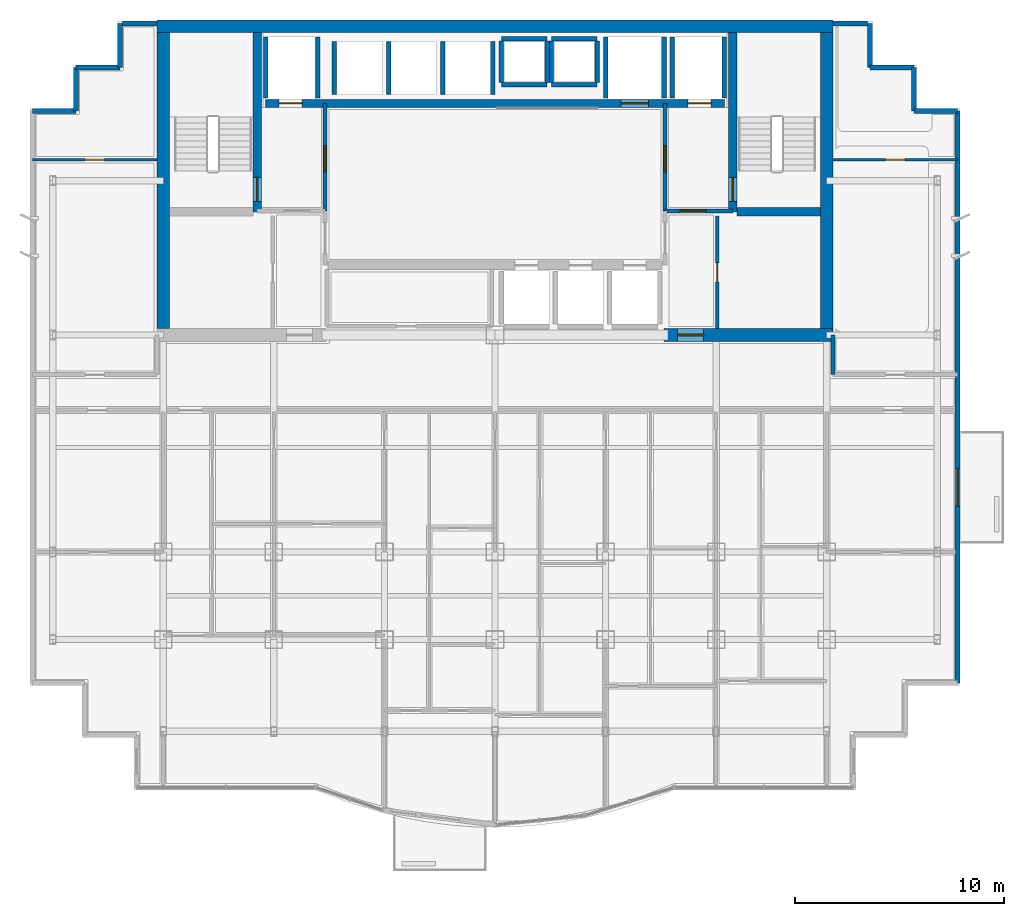
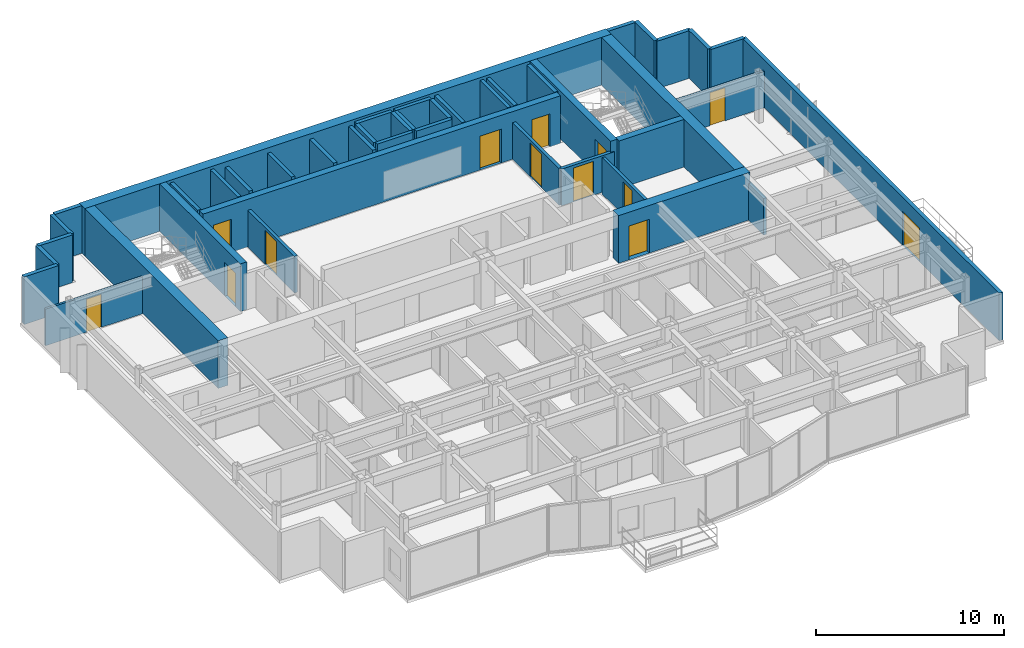
# One storey, part 8 of 11: 44 walls, 13 doors, 13 openings.
"""IFC4 building model written with IfcOpenShell, lengths in metres."""

from ifc_helpers import new_model, si_unit, direction, frame, frame_2d, origin, place, context, subcontext, project, spatial, rectangle, extrude, material, layer, layer_set, type_object, element, fill, save


model = new_model("IFC4")

# Units and contexts
model_context = context("Model", 3, precision=1e-05, world=origin(), true_north=direction((0.0, 1.0)))
body_context = subcontext(model_context, "Body", "Model", "MODEL_VIEW")
ifc_project = project(units=[si_unit("LENGTHUNIT", "METRE"), si_unit("AREAUNIT", "SQUARE_METRE"), si_unit("VOLUMEUNIT", "CUBIC_METRE"), si_unit("PLANEANGLEUNIT", "RADIAN"), si_unit("MASSUNIT", "GRAM", prefix="KILO")], contexts=[model_context])

# Site, building, storey
site_placement = place(None, origin())
site = spatial("IfcSite", under=ifc_project, at=site_placement, CompositionType="ELEMENT")
building_placement = place(site_placement, origin())
building = spatial("IfcBuilding", under=site, at=building_placement, Name="Qianlan Lanfeng Residences", CompositionType="ELEMENT")
storey_placement = place(building_placement, frame((0.0, 0.0, 168.89990234375)))
storey = spatial("IfcBuildingStorey", under=building, at=storey_placement, Name="L46", CompositionType="ELEMENT", Elevation=168.89990234375)

# Wall, opening, door
ifc_material_1 = material(Name="Concrete C56", Category="concrete")
ifc_layer_1 = layer(ifc_material_1, 0.39990234375)
ifc_layer_set_1 = layer_set([ifc_layer_1], Name="Concrete C56")
wall_type_1 = type_object("IfcWallType", Name="CW-RC-400", PredefinedType="SHEAR", material=ifc_layer_set_1)
wall_1_placement = place(storey_placement, frame((15.10009765625, 31.10009765625, 0.0), z_axis=(0.0, 0.0, 1.0), x_axis=(0.0, 1.0, 0.0)))
wall_1 = element("IfcWall", 1, at=wall_1_placement, inside=storey, type_object=wall_type_1, Name="L46 Core Shear Wall ST1E", PredefinedType="SHEAR", context=body_context, shape_type="SweptSolid", body=[
    extrude(rectangle(XDim=8.599853515625, YDim=0.39990234375, at=frame_2d((4.2998046875, 0.0))), origin(), (0.0, 0.0, 1.0), 3.10009765625),
])
opening_1_placement = place(wall_1_placement, frame((0.510009765625, 0.0, 0.0)))
opening_1 = element("IfcOpeningElement", 2, at=opening_1_placement, cuts=wall_1, Name="Opening L46-D07", PredefinedType="OPENING", context=body_context, shape_type="SweptSolid", body=[
    extrude(rectangle(XDim=1.14990234375, YDim=2.199951171875, at=frame_2d((0.574951171875, 1.10009765625))), frame((0.0, 0.2099609375, 0.0), z_axis=(0.0, -1.0, 0.0), x_axis=(1.0, 0.0, 0.0)), (0.0, 0.0, 1.0), 0.419921875),
])
ifc_material_2 = material(Name="Painted Galvanised Steel Fire Door", Category="steel")
door_type_1 = type_object("IfcDoorType", Name="DT-ST1", OperationType="NOTDEFINED", PredefinedType="DOOR", material=ifc_material_2)
door_1_placement = place(opening_1_placement, frame((1.14990234375, 0.0, 0.0), z_axis=(0.0, 0.0, 1.0), x_axis=(-1.0, 0.0, 0.0)))
door_1 = element("IfcDoor", 3, at=door_1_placement, inside=storey, type_object=door_type_1, Name="L46 Exit Stair ST-1 Door L46-D07 (DT-ST1)", OperationType="SINGLE_SWING_RIGHT", OverallHeight=2.199951171875, OverallWidth=1.14990234375, PredefinedType="DOOR", context=body_context, shape_type="SweptSolid", body=[
    extrude(rectangle(XDim=1.14990234375, YDim=2.199951171875, at=frame_2d((0.574951171875, 1.10009765625))), frame((0.0, 0.02490234375, 0.0), z_axis=(0.0, -1.0, 0.0), x_axis=(1.0, 0.0, 0.0)), (0.0, 0.0, 1.0), 0.050048828125),
])
fill(opening_1, door_1)

wall_2_placement = place(storey_placement, frame((37.89990234375, 31.10009765625, 0.0), z_axis=(0.0, 0.0, 1.0), x_axis=(0.0, 1.0, 0.0)))
wall_2 = element("IfcWall", 4, at=wall_2_placement, inside=storey, type_object=wall_type_1, Name="L46 Core Shear Wall ST2W", PredefinedType="SHEAR", context=body_context, shape_type="SweptSolid", body=[
    extrude(rectangle(XDim=8.599853515625, YDim=0.39990234375, at=frame_2d((4.2998046875, 0.0))), origin(), (0.0, 0.0, 1.0), 3.10009765625),
])
opening_2_placement = place(wall_2_placement, frame((0.510009765625, 0.0, 0.0)))
opening_2 = element("IfcOpeningElement", 5, at=opening_2_placement, cuts=wall_2, Name="Opening L46-D08", PredefinedType="OPENING", context=body_context, shape_type="SweptSolid", body=[
    extrude(rectangle(XDim=1.14990234375, YDim=2.199951171875, at=frame_2d((0.574951171875, 1.10009765625))), frame((0.0, 0.2099609375, 0.0), z_axis=(0.0, -1.0, 0.0), x_axis=(1.0, 0.0, 0.0)), (0.0, 0.0, 1.0), 0.419921875),
])
door_2_placement = place(opening_2_placement, origin())
door_2 = element("IfcDoor", 6, at=door_2_placement, inside=storey, type_object=door_type_1, Name="L46 Exit Stair ST-2 Door L46-D08 (DT-ST1)", OperationType="SINGLE_SWING_RIGHT", OverallHeight=2.199951171875, OverallWidth=1.14990234375, PredefinedType="DOOR", context=body_context, shape_type="SweptSolid", body=[
    extrude(rectangle(XDim=1.14990234375, YDim=2.199951171875, at=frame_2d((0.574951171875, 1.10009765625))), frame((0.0, 0.02490234375, 0.0), z_axis=(0.0, -1.0, 0.0), x_axis=(1.0, 0.0, 0.0)), (0.0, 0.0, 1.0), 0.050048828125),
])
fill(opening_2, door_2)

# Wall
wall_3_placement = place(storey_placement, frame((38.10009765625, 31.10009765625, 0.0), z_axis=(0.0, 0.0, 1.0), x_axis=(1.0, 0.0, 0.0)))
element("IfcWall", 7, at=wall_3_placement, inside=storey, type_object=wall_type_1, Name="L46 Core Shear Wall ST2S", PredefinedType="SHEAR", context=body_context, shape_type="SweptSolid", body=[
    extrude(rectangle(XDim=4.0, YDim=0.39990234375, at=frame_2d((2.0, 0.0))), origin(), (0.0, 0.0, 1.0), 3.10009765625),
])

# Wall, openings, doors
wall_4_placement = place(storey_placement, frame((15.5, 36.300048828125, 0.0), z_axis=(0.0, 0.0, 1.0), x_axis=(1.0, 0.0, 0.0)))
wall_4 = element("IfcWall", 8, at=wall_4_placement, inside=storey, type_object=wall_type_1, Name="L46 Core Shear Wall LBN", PredefinedType="SHEAR", context=body_context, shape_type="SweptSolid", body=[
    extrude(rectangle(XDim=22.0, YDim=0.39990234375, at=frame_2d((11.0, 0.0))), origin(), (0.0, 0.0, 1.0), 3.10009765625),
])
opening_3_placement = place(wall_4_placement, frame((0.64990234375, 0.0, 0.0)))
opening_3 = element("IfcOpeningElement", 9, at=opening_3_placement, cuts=wall_4, Name="Opening L46-LD-FFL-1", PredefinedType="OPENING", context=body_context, shape_type="SweptSolid", body=[
    extrude(rectangle(XDim=1.10009765625, YDim=2.14990234375, at=frame_2d((0.550048828125, 1.074951171875))), frame((0.0, 0.2099609375, 0.0), z_axis=(0.0, -1.0, 0.0), x_axis=(1.0, 0.0, 0.0)), (0.0, 0.0, 1.0), 0.419921875),
])
opening_4_placement = place(wall_4_placement, frame((20.25, 0.0, 0.0)))
opening_4 = element("IfcOpeningElement", 10, at=opening_4_placement, cuts=wall_4, Name="Opening L46-LD-FFL-2", PredefinedType="OPENING", context=body_context, shape_type="SweptSolid", body=[
    extrude(rectangle(XDim=1.10009765625, YDim=2.14990234375, at=frame_2d((0.550048828125, 1.074951171875))), frame((0.0, 0.2099609375, 0.0), z_axis=(0.0, -1.0, 0.0), x_axis=(1.0, 0.0, 0.0)), (0.0, 0.0, 1.0), 0.419921875),
])
opening_5_placement = place(wall_4_placement, frame((17.050048828125, 0.0, 0.0)))
opening_5 = element("IfcOpeningElement", 11, at=opening_5_placement, cuts=wall_4, Name="Opening L46-LD-SVL-1", PredefinedType="OPENING", context=body_context, shape_type="SweptSolid", body=[
    extrude(rectangle(XDim=1.300048828125, YDim=2.199951171875, at=frame_2d((0.64990234375, 1.10009765625))), frame((0.0, 0.2099609375, 0.0), z_axis=(0.0, -1.0, 0.0), x_axis=(1.0, 0.0, 0.0)), (0.0, 0.0, 1.0), 0.419921875),
])
ifc_material_3 = material(Name="Brushed Stainless Steel Sliding Lift Door", Category="steel")
door_type_2 = type_object("IfcDoorType", Name="LD-01", OperationType="NOTDEFINED", PredefinedType="DOOR", material=ifc_material_3)
door_3_placement = place(opening_3_placement, frame((1.10009765625, 0.0, 0.0), z_axis=(0.0, 0.0, 1.0), x_axis=(-1.0, 0.0, 0.0)))
door_3 = element("IfcDoor", 12, at=door_3_placement, inside=storey, type_object=door_type_2, Name="L46 Elevator FFL-1 Sliding Landing Door", OperationType="DOUBLE_DOOR_SLIDING", OverallHeight=2.14990234375, OverallWidth=1.10009765625, PredefinedType="DOOR", context=body_context, shape_type="SweptSolid", body=[
    extrude(rectangle(XDim=1.10009765625, YDim=2.14990234375, at=frame_2d((0.550048828125, 1.074951171875))), frame((0.0, 0.02490234375, 0.0), z_axis=(0.0, -1.0, 0.0), x_axis=(1.0, 0.0, 0.0)), (0.0, 0.0, 1.0), 0.050048828125),
])
fill(opening_3, door_3)
door_4_placement = place(opening_4_placement, frame((1.10009765625, 0.0, 0.0), z_axis=(0.0, 0.0, 1.0), x_axis=(-1.0, 0.0, 0.0)))
door_4 = element("IfcDoor", 13, at=door_4_placement, inside=storey, type_object=door_type_2, Name="L46 Elevator FFL-2 Sliding Landing Door", OperationType="DOUBLE_DOOR_SLIDING", OverallHeight=2.14990234375, OverallWidth=1.10009765625, PredefinedType="DOOR", context=body_context, shape_type="SweptSolid", body=[
    extrude(rectangle(XDim=1.10009765625, YDim=2.14990234375, at=frame_2d((0.550048828125, 1.074951171875))), frame((0.0, 0.02490234375, 0.0), z_axis=(0.0, -1.0, 0.0), x_axis=(1.0, 0.0, 0.0)), (0.0, 0.0, 1.0), 0.050048828125),
])
fill(opening_4, door_4)
door_type_3 = type_object("IfcDoorType", Name="LD-02", OperationType="NOTDEFINED", PredefinedType="DOOR", material=ifc_material_3)
door_5_placement = place(opening_5_placement, frame((1.300048828125, 0.0, 0.0), z_axis=(0.0, 0.0, 1.0), x_axis=(-1.0, 0.0, 0.0)))
door_5 = element("IfcDoor", 14, at=door_5_placement, inside=storey, type_object=door_type_3, Name="L46 Elevator SVL-1 Sliding Landing Door", OperationType="DOUBLE_DOOR_SLIDING", OverallHeight=2.199951171875, OverallWidth=1.300048828125, PredefinedType="DOOR", context=body_context, shape_type="SweptSolid", body=[
    extrude(rectangle(XDim=1.300048828125, YDim=2.199951171875, at=frame_2d((0.64990234375, 1.10009765625))), frame((0.0, 0.02490234375, 0.0), z_axis=(0.0, -1.0, 0.0), x_axis=(1.0, 0.0, 0.0)), (0.0, 0.0, 1.0), 0.050048828125),
])
fill(opening_5, door_5)

# Walls
ifc_layer_2 = layer(ifc_material_1, 0.60009765625)
ifc_layer_set_2 = layer_set([ifc_layer_2], Name="Concrete C56")
wall_type_2 = type_object("IfcWallType", Name="CW-RC-600", PredefinedType="SHEAR", material=ifc_layer_set_2)
wall_5_placement = place(storey_placement, frame((10.300048828125, 40.0, 0.0), z_axis=(0.0, 0.0, 1.0), x_axis=(1.0, 0.0, 0.0)))
element("IfcWall", 15, at=wall_5_placement, inside=storey, type_object=wall_type_2, Name="L46 Core Shear Wall N", PredefinedType="SHEAR", context=body_context, shape_type="SweptSolid", body=[
    extrude(rectangle(XDim=32.39990234375, YDim=0.60009765625, at=frame_2d((16.199951171875, 0.0))), origin(), (0.0, 0.0, 1.0), 3.10009765625),
])
for number, where, z_axis, x_axis, name in (
    (16, (10.60009765625, 25.5, 0.0), (0.0, 0.0, 1.0), (0.0, 1.0, 0.0), "L46 Core Shear Wall W"),
    (17, (42.39990234375, 25.5, 0.0), (0.0, 0.0, 1.0), (0.0, 1.0, 0.0), "L46 Core Shear Wall E"),
):
    element("IfcWall", number, at=place(storey_placement, frame(where, z_axis=z_axis, x_axis=x_axis)), inside=storey, type_object=wall_type_2, Name=name, PredefinedType="SHEAR", context=body_context, shape_type="SweptSolid", body=[
        extrude(rectangle(XDim=14.199951171875, YDim=0.60009765625, at=frame_2d((7.10009765625, 0.0))), origin(), (0.0, 0.0, 1.0), 3.10009765625),
    ])

# Wall, opening, door
wall_6_placement = place(storey_placement, frame((34.60009765625, 25.199951171875, 0.0), z_axis=(0.0, 0.0, 1.0), x_axis=(1.0, 0.0, 0.0)))
wall_6 = element("IfcWall", 18, at=wall_6_placement, inside=storey, type_object=wall_type_2, Name="L46 Core Shear Wall SE", PredefinedType="SHEAR", context=body_context, shape_type="SweptSolid", body=[
    extrude(rectangle(XDim=8.099853515625, YDim=0.60009765625, at=frame_2d((4.0498046875, 0.0))), origin(), (0.0, 0.0, 1.0), 3.10009765625),
])
opening_6_placement = place(wall_6_placement, frame((0.64990234375, 0.0, 0.0)))
opening_6 = element("IfcOpeningElement", 19, at=opening_6_placement, cuts=wall_6, Name="Opening L46-D02", PredefinedType="OPENING", context=body_context, shape_type="SweptSolid", body=[
    extrude(rectangle(XDim=1.25, YDim=2.199951171875, at=frame_2d((0.625, 1.10009765625))), frame((0.0, 0.31005859375, 0.0), z_axis=(0.0, -1.0, 0.0), x_axis=(1.0, 0.0, 0.0)), (0.0, 0.0, 1.0), 0.6201171875),
])
door_type_4 = type_object("IfcDoorType", Name="DT-FFL", OperationType="NOTDEFINED", PredefinedType="DOOR", material=ifc_material_2)
door_6_placement = place(opening_6_placement, frame((1.25, 0.0, 0.0), z_axis=(0.0, 0.0, 1.0), x_axis=(-1.0, 0.0, 0.0)))
door_6 = element("IfcDoor", 20, at=door_6_placement, inside=storey, type_object=door_type_4, Name="L46 East Core Lobby Smoke Door L46-D02 (DT-FFL)", OperationType="SINGLE_SWING_LEFT", OverallHeight=2.199951171875, OverallWidth=1.25, PredefinedType="DOOR", context=body_context, shape_type="SweptSolid", body=[
    extrude(rectangle(XDim=1.25, YDim=2.199951171875, at=frame_2d((0.625, 1.10009765625))), frame((0.0, 0.02490234375, 0.0), z_axis=(0.0, -1.0, 0.0), x_axis=(1.0, 0.0, 0.0)), (0.0, 0.0, 1.0), 0.050048828125),
])
fill(opening_6, door_6)

ifc_material_4 = material(Name="Concrete C42", Category="concrete")
ifc_layer_3 = layer(ifc_material_4, 0.239990234375)
ifc_layer_set_3 = layer_set([ifc_layer_3], Name="Concrete C42")
wall_type_3 = type_object("IfcWallType", Name="EW-240", PredefinedType="SOLIDWALL", material=ifc_layer_set_3)
wall_7_placement = place(storey_placement, frame((48.679931640625, 8.52001953125, 0.0), z_axis=(0.0, 0.0, 1.0), x_axis=(0.0, 1.0, 0.0)))
wall_7 = element("IfcWall", 21, at=wall_7_placement, inside=storey, type_object=wall_type_3, Name="L46 Terrace/Balcony Access Exterior Wall 10", PredefinedType="SOLIDWALL", context=body_context, shape_type="SweptSolid", body=[
    extrude(rectangle(XDim=27.409912109375, YDim=0.239990234375, at=frame_2d((13.705078125, 0.0))), origin(), (0.0, 0.0, 1.0), 3.10009765625),
])
opening_7_placement = place(wall_7_placement, frame((8.47998046875, 0.0, 0.0)))
opening_7 = element("IfcOpeningElement", 22, at=opening_7_placement, cuts=wall_7, Name="Opening L46-D-EB-S", PredefinedType="OPENING", context=body_context, shape_type="SweptSolid", body=[
    extrude(rectangle(XDim=1.800048828125, YDim=2.199951171875, at=frame_2d((0.89990234375, 1.10009765625))), frame((0.0, 0.1298828125, 0.0), z_axis=(0.0, -1.0, 0.0), x_axis=(1.0, 0.0, 0.0)), (0.0, 0.0, 1.0), 0.260009765625),
])
ifc_material_5 = material(Name="Anodised Bronze Aluminium Framed Glass", Category="aluminium")
door_type_5 = type_object("IfcDoorType", Name="DT-BAL1", OperationType="NOTDEFINED", PredefinedType="DOOR", material=ifc_material_5)
door_7_placement = place(opening_7_placement, frame((1.800048828125, 0.0, 0.0), z_axis=(0.0, 0.0, 1.0), x_axis=(-1.0, 0.0, 0.0)))
door_7 = element("IfcDoor", 23, at=door_7_placement, inside=storey, type_object=door_type_5, Name="L46 Exterior Access Door EB-S", OperationType="DOUBLE_DOOR_SLIDING", OverallHeight=2.199951171875, OverallWidth=1.800048828125, PredefinedType="DOOR", context=body_context, shape_type="SweptSolid", body=[
    extrude(rectangle(XDim=1.800048828125, YDim=2.199951171875, at=frame_2d((0.89990234375, 1.10009765625))), frame((0.0, 0.02490234375, 0.0), z_axis=(0.0, -1.0, 0.0), x_axis=(1.0, 0.0, 0.0)), (0.0, 0.0, 1.0), 0.050048828125),
])
fill(opening_7, door_7)

# Walls
wall_8_placement = place(storey_placement, frame((48.679931640625, 35.929931640625, 0.0), z_axis=(0.0, 0.0, 1.0), x_axis=(-1.0, 0.0, 0.0)))
element("IfcWall", 24, at=wall_8_placement, inside=storey, type_object=wall_type_3, Name="L46 Exterior Facade Spandrel Wall 11", PredefinedType="SOLIDWALL", context=body_context, shape_type="SweptSolid", body=[
    extrude(rectangle(XDim=2.099853515625, YDim=0.239990234375, at=frame_2d((1.0498046875, 0.0))), origin(), (0.0, 0.0, 1.0), 3.10009765625),
])
for number, where, z_axis, x_axis, name in (
    (25, (46.580078125, 35.929931640625, 0.0), (0.0, 0.0, 1.0), (0.0, 1.0, 0.0), "L46 Exterior Facade Spandrel Wall 12"),
    (26, (46.580078125, 38.030029296875, 0.0), (0.0, 0.0, 1.0), (-1.0, 0.0, 0.0), "L46 Exterior Facade Spandrel Wall 13"),
):
    element("IfcWall", number, at=place(storey_placement, frame(where, z_axis=z_axis, x_axis=x_axis)), inside=storey, type_object=wall_type_3, Name=name, PredefinedType="SOLIDWALL", context=body_context, shape_type="SweptSolid", body=[
        extrude(rectangle(XDim=2.10009765625, YDim=0.239990234375, at=frame_2d((1.050048828125, 0.0))), origin(), (0.0, 0.0, 1.0), 3.10009765625),
    ])
wall_9_placement = place(storey_placement, frame((44.47998046875, 38.030029296875, 0.0), z_axis=(0.0, 0.0, 1.0), x_axis=(0.0, 1.0, 0.0)))
element("IfcWall", 27, at=wall_9_placement, inside=storey, type_object=wall_type_3, Name="L46 Exterior Facade Spandrel Wall 14", PredefinedType="SOLIDWALL", context=body_context, shape_type="SweptSolid", body=[
    extrude(rectangle(XDim=2.099853515625, YDim=0.239990234375, at=frame_2d((1.0498046875, 0.0))), origin(), (0.0, 0.0, 1.0), 3.10009765625),
])
for number, where, z_axis, x_axis, name in (
    (28, (44.35009765625, 40.1298828125, 0.0), (0.0, 0.0, 1.0), (-1.0, 0.0, 0.0), "L46 North Wing Exterior Wall E"),
    (29, (10.300048828125, 40.1298828125, 0.0), (0.0, 0.0, 1.0), (-1.0, 0.0, 0.0), "L46 North Wing Exterior Wall W"),
):
    element("IfcWall", number, at=place(storey_placement, frame(where, z_axis=z_axis, x_axis=x_axis)), inside=storey, type_object=wall_type_3, Name=name, PredefinedType="SOLIDWALL", context=body_context, shape_type="SweptSolid", body=[
        extrude(rectangle(XDim=1.650146484375, YDim=0.239990234375, at=frame_2d((0.8251953125, 0.0))), origin(), (0.0, 0.0, 1.0), 3.10009765625),
    ])
wall_10_placement = place(storey_placement, frame((8.52001953125, 40.1298828125, 0.0), z_axis=(0.0, 0.0, 1.0), x_axis=(0.0, -1.0, 0.0)))
element("IfcWall", 30, at=wall_10_placement, inside=storey, type_object=wall_type_3, Name="L46 Exterior Facade Spandrel Wall 17", PredefinedType="SOLIDWALL", context=body_context, shape_type="SweptSolid", body=[
    extrude(rectangle(XDim=2.099853515625, YDim=0.239990234375, at=frame_2d((1.0498046875, 0.0))), origin(), (0.0, 0.0, 1.0), 3.10009765625),
])
for number, where, z_axis, x_axis, name in (
    (31, (8.52001953125, 38.030029296875, 0.0), (0.0, 0.0, 1.0), (-1.0, 0.0, 0.0), "L46 Exterior Facade Spandrel Wall 18"),
    (32, (6.419921875, 38.030029296875, 0.0), (0.0, 0.0, 1.0), (0.0, -1.0, 0.0), "L46 Exterior Facade Spandrel Wall 19"),
):
    element("IfcWall", number, at=place(storey_placement, frame(where, z_axis=z_axis, x_axis=x_axis)), inside=storey, type_object=wall_type_3, Name=name, PredefinedType="SOLIDWALL", context=body_context, shape_type="SweptSolid", body=[
        extrude(rectangle(XDim=2.10009765625, YDim=0.239990234375, at=frame_2d((1.050048828125, 0.0))), origin(), (0.0, 0.0, 1.0), 3.10009765625),
    ])
wall_11_placement = place(storey_placement, frame((6.419921875, 35.929931640625, 0.0), z_axis=(0.0, 0.0, 1.0), x_axis=(-1.0, 0.0, 0.0)))
element("IfcWall", 33, at=wall_11_placement, inside=storey, type_object=wall_type_3, Name="L46 Exterior Facade Spandrel Wall 20", PredefinedType="SOLIDWALL", context=body_context, shape_type="SweptSolid", body=[
    extrude(rectangle(XDim=2.099853515625, YDim=0.239990234375, at=frame_2d((1.0498046875, 0.0))), origin(), (0.0, 0.0, 1.0), 3.10009765625),
])

# Wall, opening, door
ifc_material_6 = material(Name="Moisture-Resistant Gypsum Partition 135 mm")
ifc_layer_4 = layer(ifc_material_6, 0.135009765625)
ifc_layer_set_4 = layer_set([ifc_layer_4], Name="Moisture-Resistant Gypsum Partition 135 mm")
wall_type_4 = type_object("IfcWallType", Name="PW-135", PredefinedType="PARTITIONING", material=ifc_layer_set_4)
wall_12_placement = place(storey_placement, frame((4.320068359375, 33.60009765625, 0.0), z_axis=(0.0, 0.0, 1.0), x_axis=(1.0, 0.0, 0.0)))
wall_12 = element("IfcWall", 34, at=wall_12_placement, inside=storey, type_object=wall_type_4, Name="L46 WW North Wing Wall", PredefinedType="PARTITIONING", context=body_context, shape_type="SweptSolid", body=[
    extrude(rectangle(XDim=5.97998046875, YDim=0.135009765625, at=frame_2d((2.989990234375, 0.0))), origin(), (0.0, 0.0, 1.0), 2.380126953125),
])
opening_8_placement = place(wall_12_placement, frame((2.530029296875, 0.0, 0.0)))
opening_8 = element("IfcOpeningElement", 35, at=opening_8_placement, cuts=wall_12, Name="Opening L46-D41", PredefinedType="OPENING", context=body_context, shape_type="SweptSolid", body=[
    extrude(rectangle(XDim=0.919921875, YDim=2.14990234375, at=frame_2d((0.4599609375, 1.074951171875))), frame((0.0, 0.07763671875, 0.0), z_axis=(0.0, -1.0, 0.0), x_axis=(1.0, 0.0, 0.0)), (0.0, 0.0, 1.0), 0.155029296875),
])
ifc_material_7 = material(Name="Glazed Timber Kitchen/Study Door", Category="wood")
door_type_6 = type_object("IfcDoorType", Name="DT-INT", OperationType="NOTDEFINED", PredefinedType="DOOR", material=ifc_material_7)
door_8_placement = place(opening_8_placement, origin())
door_8 = element("IfcDoor", 36, at=door_8_placement, inside=storey, type_object=door_type_6, Name="L46 WW Inner Salon Door L46-D41 (DT-INT)", OperationType="SINGLE_SWING_LEFT", OverallHeight=2.14990234375, OverallWidth=0.919921875, PredefinedType="DOOR", context=body_context, shape_type="SweptSolid", body=[
    extrude(rectangle(XDim=0.919921875, YDim=2.14990234375, at=frame_2d((0.4599609375, 1.074951171875))), frame((0.0, 0.02490234375, 0.0), z_axis=(0.0, -1.0, 0.0), x_axis=(1.0, 0.0, 0.0)), (0.0, 0.0, 1.0), 0.050048828125),
])
fill(opening_8, door_8)

wall_13_placement = place(storey_placement, frame((42.699951171875, 33.60009765625, 0.0), z_axis=(0.0, 0.0, 1.0), x_axis=(1.0, 0.0, 0.0)))
wall_13 = element("IfcWall", 37, at=wall_13_placement, inside=storey, type_object=wall_type_4, Name="L46 EW North Wing Wall", PredefinedType="PARTITIONING", context=body_context, shape_type="SweptSolid", body=[
    extrude(rectangle(XDim=5.97998046875, YDim=0.135009765625, at=frame_2d((2.989990234375, 0.0))), origin(), (0.0, 0.0, 1.0), 2.380126953125),
])
opening_9_placement = place(wall_13_placement, frame((2.530029296875, 0.0, 0.0)))
opening_9 = element("IfcOpeningElement", 38, at=opening_9_placement, cuts=wall_13, Name="Opening L46-D43", PredefinedType="OPENING", context=body_context, shape_type="SweptSolid", body=[
    extrude(rectangle(XDim=0.919921875, YDim=2.14990234375, at=frame_2d((0.4599609375, 1.074951171875))), frame((0.0, 0.07763671875, 0.0), z_axis=(0.0, -1.0, 0.0), x_axis=(1.0, 0.0, 0.0)), (0.0, 0.0, 1.0), 0.155029296875),
])
door_9_placement = place(opening_9_placement, origin())
door_9 = element("IfcDoor", 39, at=door_9_placement, inside=storey, type_object=door_type_6, Name="L46 EW Inner Salon Door L46-D43 (DT-INT)", OperationType="SINGLE_SWING_LEFT", OverallHeight=2.14990234375, OverallWidth=0.919921875, PredefinedType="DOOR", context=body_context, shape_type="SweptSolid", body=[
    extrude(rectangle(XDim=0.919921875, YDim=2.14990234375, at=frame_2d((0.4599609375, 1.074951171875))), frame((0.0, 0.02490234375, 0.0), z_axis=(0.0, -1.0, 0.0), x_axis=(1.0, 0.0, 0.0)), (0.0, 0.0, 1.0), 0.050048828125),
])
fill(opening_9, door_9)

ifc_material_8 = material(Name="Double-Layer Acoustic Gypsum Stud Wall 180 mm")
ifc_layer_5 = layer(ifc_material_8, 0.179931640625)
ifc_layer_set_5 = layer_set([ifc_layer_5], Name="Double-Layer Acoustic Gypsum Stud Wall 180 mm")
wall_type_5 = type_object("IfcWallType", Name="PW-180", PredefinedType="PARTITIONING", material=ifc_layer_set_5)
wall_14_placement = place(storey_placement, frame((37.14990234375, 25.5, 0.0), z_axis=(0.0, 0.0, 1.0), x_axis=(0.0, 1.0, 0.0)))
wall_14 = element("IfcWall", 40, at=wall_14_placement, inside=storey, type_object=wall_type_5, Name="L46 Core East Service Room Wall", PredefinedType="PARTITIONING", context=body_context, shape_type="SweptSolid", body=[
    extrude(rectangle(XDim=5.39990234375, YDim=0.179931640625, at=frame_2d((2.699951171875, 0.0))), origin(), (0.0, 0.0, 1.0), 2.380126953125),
])
opening_10_placement = place(wall_14_placement, frame((2.239990234375, 0.0, 0.0)))
opening_10 = element("IfcOpeningElement", 41, at=opening_10_placement, cuts=wall_14, Name="Opening L46-D10", PredefinedType="OPENING", context=body_context, shape_type="SweptSolid", body=[
    extrude(rectangle(XDim=0.919921875, YDim=2.14990234375, at=frame_2d((0.4599609375, 1.074951171875))), frame((0.0, 0.10009765625, 0.0), z_axis=(0.0, -1.0, 0.0), x_axis=(1.0, 0.0, 0.0)), (0.0, 0.0, 1.0), 0.199951171875),
])
door_10_placement = place(opening_10_placement, origin())
door_10 = element("IfcDoor", 42, at=door_10_placement, inside=storey, type_object=door_type_6, Name="L46 Refuse Recycling Door L46-D10 (DT-INT)", OperationType="SINGLE_SWING_RIGHT", OverallHeight=2.14990234375, OverallWidth=0.919921875, PredefinedType="DOOR", context=body_context, shape_type="SweptSolid", body=[
    extrude(rectangle(XDim=0.919921875, YDim=2.14990234375, at=frame_2d((0.4599609375, 1.074951171875))), frame((0.0, 0.02490234375, 0.0), z_axis=(0.0, -1.0, 0.0), x_axis=(1.0, 0.0, 0.0)), (0.0, 0.0, 1.0), 0.050048828125),
])
fill(opening_10, door_10)

ifc_material_9 = material(Name="Autoclaved Aerated Concrete Blockwork 200 mm", Category="masonry")
ifc_layer_6 = layer(ifc_material_9, 0.199951171875)
ifc_layer_set_6 = layer_set([ifc_layer_6], Name="Autoclaved Aerated Concrete Blockwork 200 mm")
wall_type_6 = type_object("IfcWallType", Name="PW-200", PredefinedType="PARTITIONING", material=ifc_layer_set_6)
wall_15_placement = place(storey_placement, frame((18.35009765625, 31.14990234375, 0.0), z_axis=(0.0, 0.0, 1.0), x_axis=(0.0, 1.0, 0.0)))
wall_15 = element("IfcWall", 43, at=wall_15_placement, inside=storey, type_object=wall_type_6, Name="L46 Firefighting Lobby 1 East Wall", PredefinedType="PARTITIONING", context=body_context, shape_type="SweptSolid", body=[
    extrude(rectangle(XDim=5.150146484375, YDim=0.199951171875, at=frame_2d((2.5751953125, 0.0))), origin(), (0.0, 0.0, 1.0), 2.380126953125),
])
opening_11_placement = place(wall_15_placement, frame((1.875, 0.0, 0.0)))
opening_11 = element("IfcOpeningElement", 44, at=opening_11_placement, cuts=wall_15, Name="Opening L46-D04", PredefinedType="OPENING", context=body_context, shape_type="SweptSolid", body=[
    extrude(rectangle(XDim=1.25, YDim=2.199951171875, at=frame_2d((0.625, 1.10009765625))), frame((0.0, 0.10986328125, 0.0), z_axis=(0.0, -1.0, 0.0), x_axis=(1.0, 0.0, 0.0)), (0.0, 0.0, 1.0), 0.219970703125),
])
door_11_placement = place(opening_11_placement, origin())
door_11 = element("IfcDoor", 45, at=door_11_placement, inside=storey, type_object=door_type_4, Name="L46 Firefighting Lobby 1 Lift Lobby Door L46-D04 (DT-FFL)", OperationType="SINGLE_SWING_RIGHT", OverallHeight=2.199951171875, OverallWidth=1.25, PredefinedType="DOOR", context=body_context, shape_type="SweptSolid", body=[
    extrude(rectangle(XDim=1.25, YDim=2.199951171875, at=frame_2d((0.625, 1.10009765625))), frame((0.0, 0.02490234375, 0.0), z_axis=(0.0, -1.0, 0.0), x_axis=(1.0, 0.0, 0.0)), (0.0, 0.0, 1.0), 0.050048828125),
])
fill(opening_11, door_11)

wall_16_placement = place(storey_placement, frame((34.64990234375, 31.14990234375, 0.0), z_axis=(0.0, 0.0, 1.0), x_axis=(1.0, 0.0, 0.0)))
wall_16 = element("IfcWall", 46, at=wall_16_placement, inside=storey, type_object=wall_type_6, Name="L46 Firefighting Lobby 2 South Wall", PredefinedType="PARTITIONING", context=body_context, shape_type="SweptSolid", body=[
    extrude(rectangle(XDim=3.25, YDim=0.199951171875, at=frame_2d((1.625, 0.0))), origin(), (0.0, 0.0, 1.0), 2.380126953125),
])
opening_12_placement = place(wall_16_placement, frame((0.72509765625, 0.0, 0.0)))
opening_12 = element("IfcOpeningElement", 47, at=opening_12_placement, cuts=wall_16, Name="Opening L46-D05", PredefinedType="OPENING", context=body_context, shape_type="SweptSolid", body=[
    extrude(rectangle(XDim=1.25, YDim=2.199951171875, at=frame_2d((0.625, 1.10009765625))), frame((0.0, 0.10986328125, 0.0), z_axis=(0.0, -1.0, 0.0), x_axis=(1.0, 0.0, 0.0)), (0.0, 0.0, 1.0), 0.219970703125),
])
door_12_placement = place(opening_12_placement, origin())
door_12 = element("IfcDoor", 48, at=door_12_placement, inside=storey, type_object=door_type_4, Name="L46 Firefighting Lobby 2 Entry Door L46-D05 (DT-FFL)", OperationType="SINGLE_SWING_RIGHT", OverallHeight=2.199951171875, OverallWidth=1.25, PredefinedType="DOOR", context=body_context, shape_type="SweptSolid", body=[
    extrude(rectangle(XDim=1.25, YDim=2.199951171875, at=frame_2d((0.625, 1.10009765625))), frame((0.0, 0.02490234375, 0.0), z_axis=(0.0, -1.0, 0.0), x_axis=(1.0, 0.0, 0.0)), (0.0, 0.0, 1.0), 0.050048828125),
])
fill(opening_12, door_12)

wall_17_placement = place(storey_placement, frame((34.64990234375, 31.14990234375, 0.0), z_axis=(0.0, 0.0, 1.0), x_axis=(0.0, 1.0, 0.0)))
wall_17 = element("IfcWall", 49, at=wall_17_placement, inside=storey, type_object=wall_type_6, Name="L46 Firefighting Lobby 2 West Wall", PredefinedType="PARTITIONING", context=body_context, shape_type="SweptSolid", body=[
    extrude(rectangle(XDim=5.150146484375, YDim=0.199951171875, at=frame_2d((2.5751953125, 0.0))), origin(), (0.0, 0.0, 1.0), 2.380126953125),
])
opening_13_placement = place(wall_17_placement, frame((1.875, 0.0, 0.0)))
opening_13 = element("IfcOpeningElement", 50, at=opening_13_placement, cuts=wall_17, Name="Opening L46-D06", PredefinedType="OPENING", context=body_context, shape_type="SweptSolid", body=[
    extrude(rectangle(XDim=1.25, YDim=2.199951171875, at=frame_2d((0.625, 1.10009765625))), frame((0.0, 0.10986328125, 0.0), z_axis=(0.0, -1.0, 0.0), x_axis=(1.0, 0.0, 0.0)), (0.0, 0.0, 1.0), 0.219970703125),
])
door_13_placement = place(opening_13_placement, origin())
door_13 = element("IfcDoor", 51, at=door_13_placement, inside=storey, type_object=door_type_4, Name="L46 Firefighting Lobby 2 Lift Lobby Door L46-D06 (DT-FFL)", OperationType="SINGLE_SWING_RIGHT", OverallHeight=2.199951171875, OverallWidth=1.25, PredefinedType="DOOR", context=body_context, shape_type="SweptSolid", body=[
    extrude(rectangle(XDim=1.25, YDim=2.199951171875, at=frame_2d((0.625, 1.10009765625))), frame((0.0, 0.02490234375, 0.0), z_axis=(0.0, -1.0, 0.0), x_axis=(1.0, 0.0, 0.0)), (0.0, 0.0, 1.0), 0.050048828125),
])
fill(opening_13, door_13)

# Walls
wall_18_placement = place(storey_placement, frame((42.699951171875, 23.300048828125, 0.0), z_axis=(0.0, 0.0, 1.0), x_axis=(0.0, 1.0, 0.0)))
element("IfcWall", 52, at=wall_18_placement, inside=storey, type_object=wall_type_6, Name="L46 NE Wing Core Return Wall", PredefinedType="PARTITIONING", context=body_context, shape_type="SweptSolid", body=[
    extrude(rectangle(XDim=1.89990234375, YDim=0.199951171875, at=frame_2d((0.949951171875, 0.0))), origin(), (0.0, 0.0, 1.0), 2.380126953125),
])
ifc_material_10 = material(Name="Concrete C49", Category="concrete")
ifc_layer_7 = layer(ifc_material_10, 0.219970703125)
ifc_layer_set_7 = layer_set([ifc_layer_7], Name="Concrete C49")
wall_type_7 = type_object("IfcWallType", Name="SHW-220", PredefinedType="SOLIDWALL", material=ifc_layer_set_7)
for number, where, z_axis, x_axis, name in (
    (53, (15.52001953125, 36.550048828125, 0.0), (0.0, 0.0, 1.0), (0.0, 1.0, 0.0), "L46 Lift FFL-1 Shaft Wall W"),
    (54, (18.0, 36.550048828125, 0.0), (0.0, 0.0, 1.0), (0.0, 1.0, 0.0), "L46 Lift FFL-1 Shaft Wall E"),
    (55, (35.0, 36.550048828125, 0.0), (0.0, 0.0, 1.0), (0.0, 1.0, 0.0), "L46 Lift FFL-2 Shaft Wall W"),
    (56, (37.47998046875, 36.550048828125, 0.0), (0.0, 0.0, 1.0), (0.0, 1.0, 0.0), "L46 Lift FFL-2 Shaft Wall E"),
    (57, (31.800048828125, 36.550048828125, 0.0), (0.0, 0.0, 1.0), (0.0, 1.0, 0.0), "L46 Lift SVL-1 Shaft Wall W"),
    (58, (34.60009765625, 36.550048828125, 0.0), (0.0, 0.0, 1.0), (0.0, 1.0, 0.0), "L46 Lift SVL-1 Shaft Wall E"),
):
    element("IfcWall", number, at=place(storey_placement, frame(where, z_axis=z_axis, x_axis=x_axis)), inside=storey, type_object=wall_type_7, Name=name, PredefinedType="SOLIDWALL", context=body_context, shape_type="SweptSolid", body=[
        extrude(rectangle(XDim=2.929931640625, YDim=0.219970703125, at=frame_2d((1.46484375, 0.0))), origin(), (0.0, 0.0, 1.0), 3.10009765625),
    ])
for number, where, z_axis, x_axis, name in (
    (59, (18.800048828125, 36.719970703125, 0.0), (0.0, 0.0, 1.0), (0.0, 1.0, 0.0), "L46 Lift PL-H1 Shaft Wall W"),
    (60, (21.39990234375, 36.719970703125, 0.0), (0.0, 0.0, 1.0), (0.0, 1.0, 0.0), "L46 Lift PL-H2 Shaft Wall W"),
    (61, (24.0, 36.719970703125, 0.0), (0.0, 0.0, 1.0), (0.0, 1.0, 0.0), "L46 Lift PL-H3 Shaft Wall W"),
    (62, (26.39990234375, 36.719970703125, 0.0), (0.0, 0.0, 1.0), (0.0, 1.0, 0.0), "L46 Lift PL-H3 Shaft Wall E"),
):
    element("IfcWall", number, at=place(storey_placement, frame(where, z_axis=z_axis, x_axis=x_axis)), inside=storey, type_object=wall_type_7, Name=name, PredefinedType="SOLIDWALL", context=body_context, shape_type="SweptSolid", body=[
        extrude(rectangle(XDim=2.56005859375, YDim=0.219970703125, at=frame_2d((1.280029296875, 0.0))), origin(), (0.0, 0.0, 1.0), 3.10009765625),
    ])
for number, where, z_axis, x_axis, name in (
    (63, (26.800048828125, 37.31005859375, 0.0), (0.0, 0.0, 1.0), (0.0, 1.0, 0.0), "L46 MEP Riser MEP-R1 Shaft Wall W"),
    (64, (29.0, 37.31005859375, 0.0), (0.0, 0.0, 1.0), (0.0, 1.0, 0.0), "L46 MEP Riser MEP-R1 Shaft Wall E"),
):
    element("IfcWall", number, at=place(storey_placement, frame(where, z_axis=z_axis, x_axis=x_axis)), inside=storey, type_object=wall_type_7, Name=name, PredefinedType="SOLIDWALL", context=body_context, shape_type="SweptSolid", body=[
        extrude(rectangle(XDim=1.97998046875, YDim=0.219970703125, at=frame_2d((0.989990234375, 0.0))), origin(), (0.0, 0.0, 1.0), 3.10009765625),
    ])
for number, where, z_axis, x_axis, name in (
    (65, (26.800048828125, 39.39990234375, 0.0), (0.0, 0.0, 1.0), (1.0, 0.0, 0.0), "L46 MEP Riser MEP-R1 Shaft Wall N"),
    (66, (26.800048828125, 37.199951171875, 0.0), (0.0, 0.0, 1.0), (1.0, 0.0, 0.0), "L46 MEP Riser MEP-R1 Shaft Wall S"),
):
    element("IfcWall", number, at=place(storey_placement, frame(where, z_axis=z_axis, x_axis=x_axis)), inside=storey, type_object=wall_type_7, Name=name, PredefinedType="SOLIDWALL", context=body_context, shape_type="SweptSolid", body=[
        extrude(rectangle(XDim=2.199951171875, YDim=0.219970703125, at=frame_2d((1.10009765625, 0.0))), origin(), (0.0, 0.0, 1.0), 3.10009765625),
    ])
for number, where, z_axis, x_axis, name in (
    (67, (29.199951171875, 37.31005859375, 0.0), (0.0, 0.0, 1.0), (0.0, 1.0, 0.0), "L46 MEP Riser MEP-R2 Shaft Wall W"),
    (68, (31.39990234375, 37.31005859375, 0.0), (0.0, 0.0, 1.0), (0.0, 1.0, 0.0), "L46 MEP Riser MEP-R2 Shaft Wall E"),
):
    element("IfcWall", number, at=place(storey_placement, frame(where, z_axis=z_axis, x_axis=x_axis)), inside=storey, type_object=wall_type_7, Name=name, PredefinedType="SOLIDWALL", context=body_context, shape_type="SweptSolid", body=[
        extrude(rectangle(XDim=1.97998046875, YDim=0.219970703125, at=frame_2d((0.989990234375, 0.0))), origin(), (0.0, 0.0, 1.0), 3.10009765625),
    ])
for number, where, z_axis, x_axis, name in (
    (69, (29.199951171875, 39.39990234375, 0.0), (0.0, 0.0, 1.0), (1.0, 0.0, 0.0), "L46 MEP Riser MEP-R2 Shaft Wall N"),
    (70, (29.199951171875, 37.199951171875, 0.0), (0.0, 0.0, 1.0), (1.0, 0.0, 0.0), "L46 MEP Riser MEP-R2 Shaft Wall S"),
):
    element("IfcWall", number, at=place(storey_placement, frame(where, z_axis=z_axis, x_axis=x_axis)), inside=storey, type_object=wall_type_7, Name=name, PredefinedType="SOLIDWALL", context=body_context, shape_type="SweptSolid", body=[
        extrude(rectangle(XDim=2.199951171875, YDim=0.219970703125, at=frame_2d((1.10009765625, 0.0))), origin(), (0.0, 0.0, 1.0), 3.10009765625),
    ])

save(model, "model.ifc")
